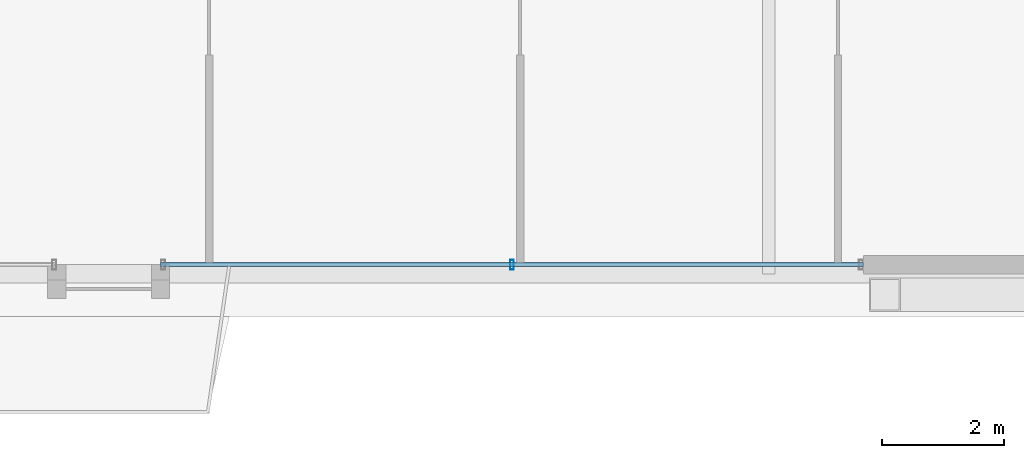
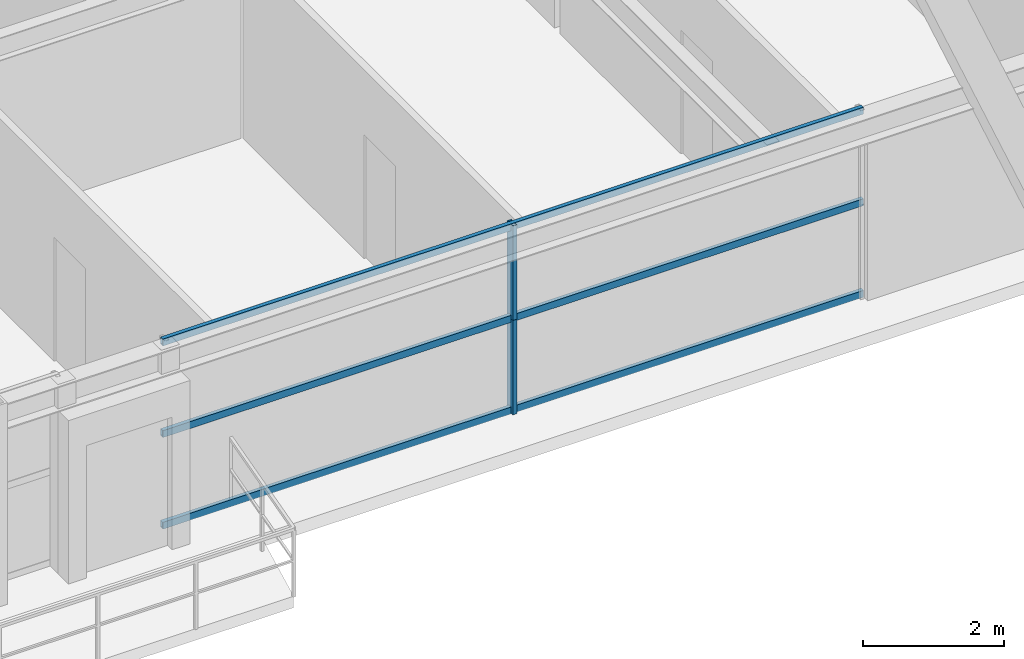
# One storey, part 12 of 45: 5 members, 1 element without a shape of its own.
"""IFC4 building model written with IfcOpenShell, lengths in metres."""

import ifcopenshell
import ifcopenshell.guid

model = None  # the IFC model being written
_history = None  # IfcOwnerHistory: only IFC2X3 demands one
_inside = {}  # id of a spatial element -> (the spatial element, [elements in it])
_under = {}  # id of a project, library or spatial element -> (it, [spatial elements below it])
_declared = {}  # id of a project -> (the project, [libraries it declares])
_typed = {}  # id of a type object -> (the type object, [elements of that type])
_made_of = {}  # id of a material, layer set ... -> (it, [elements and type objects made of it])


def new_model(schema):
    """Start an empty IFC model of exactly this schema.

    Asked for "IFC4X3", IfcOpenShell would pick the latest addendum, in which some entities
    have other attributes; the version numbers below select the first issue.
    IFC2X3 requires an IfcOwnerHistory on every rooted entity: one is made here for all.
    """
    global model, _history
    if schema == "IFC4X3":
        model = ifcopenshell.file(schema_version=(4, 3, 0, 0))
    else:
        model = ifcopenshell.file(schema=schema)
    _inside.clear()
    _under.clear()
    _declared.clear()
    _typed.clear()
    _made_of.clear()
    _history = None
    if model.schema == "IFC2X3":
        org = make("IfcOrganization", Name="unknown")
        user = make(
            "IfcPersonAndOrganization",
            ThePerson=make("IfcPerson", FamilyName="unknown"),
            TheOrganization=org,
        )
        app = make(
            "IfcApplication",
            ApplicationDeveloper=org,
            Version="unknown",
            ApplicationFullName="unknown",
            ApplicationIdentifier="unknown",
        )
        _history = make(
            "IfcOwnerHistory",
            OwningUser=user,
            OwningApplication=app,
            ChangeAction="ADDED",
            CreationDate=0,
        )
    return model


def make(cls, **values):
    """One entity of the class cls with the attributes given. An attribute that is None is left unset."""
    return model.create_entity(
        cls, **{name: value for name, value in values.items() if value is not None}
    )


def rooted(cls, **values):
    """An entity with a GlobalId (a new one), such as an element, a storey or a relation."""
    return make(cls, GlobalId=ifcopenshell.guid.new(), OwnerHistory=_history, **values)


def si_unit(unit_type, name, prefix=None):
    """IfcSIUnit, for example si_unit("LENGTHUNIT", "METRE", prefix="MILLI")."""
    return make("IfcSIUnit", UnitType=unit_type, Prefix=prefix, Name=name)


def assignment(units):
    """IfcUnitAssignment: the units of a project."""
    return None if units is None else make("IfcUnitAssignment", Units=units)


def point(xyz):
    """IfcCartesianPoint."""
    return None if xyz is None else make("IfcCartesianPoint", Coordinates=xyz)


def direction(xyz):
    """IfcDirection."""
    return None if xyz is None else make("IfcDirection", DirectionRatios=xyz)


def frame(location, z_axis=None, x_axis=None):
    """IfcAxis2Placement3D, a coordinate frame: its origin and axes. An axis left out is left unset."""
    return make(
        "IfcAxis2Placement3D",
        Location=point(location),
        Axis=direction(z_axis),
        RefDirection=direction(x_axis),
    )


def frame_2d(location, x_axis=None):
    """IfcAxis2Placement2D, a coordinate frame in the plane: its origin and x axis."""
    return make(
        "IfcAxis2Placement2D", Location=point(location), RefDirection=direction(x_axis)
    )


def origin():
    """The frame at (0, 0, 0) with its axes left unset."""
    return frame((0.0, 0.0, 0.0))


def origin_2d():
    """The frame at (0, 0) in the plane with its x axis left unset."""
    return frame_2d((0.0, 0.0))


def place(relative_to, where):
    """IfcLocalPlacement: puts the frame where relative to a parent placement (None: the world)."""
    return make(
        "IfcLocalPlacement", PlacementRelTo=relative_to, RelativePlacement=where
    )


def context(
    kind, dimensions, precision=None, world=None, true_north=None, identifier=None
):
    """IfcGeometricRepresentationContext, for example the 3D "Model" context."""
    return make(
        "IfcGeometricRepresentationContext",
        ContextIdentifier=identifier,
        ContextType=kind,
        CoordinateSpaceDimension=dimensions,
        Precision=precision,
        WorldCoordinateSystem=world,
        TrueNorth=true_north,
    )


def subcontext(parent, identifier, kind, view, scale=None):
    """IfcGeometricRepresentationSubContext, for example "Body" below "Model"."""
    return make(
        "IfcGeometricRepresentationSubContext",
        ContextIdentifier=identifier,
        ContextType=kind,
        ParentContext=parent,
        TargetScale=scale,
        TargetView=view,
    )


def project(units=None, contexts=None):
    """IfcProject with its units and contexts."""
    return rooted(
        "IfcProject",
        Name="project",
        RepresentationContexts=contexts,
        UnitsInContext=assignment(units),
    )


def spatial(cls, under=None, at=None, **own):
    """A site, building, storey or space (cls), placed at a placement, below another one or the project."""
    s = rooted(cls, ObjectPlacement=at, **own)
    if under is not None:
        _under.setdefault(under.id(), (under, []))[1].append(s)
    return s


def profile(cls, at=None, kind="AREA", **sizes):
    """A parametric profile (cls). Its sizes go by their IFC names, for example OverallWidth=200.0."""
    return make(cls, ProfileType=kind, Position=at, **sizes)


def hollow_rectangle(**sizes):
    """IfcRectangleHollowProfileDef."""
    return profile("IfcRectangleHollowProfileDef", **sizes)


def extrude(swept, where, along, depth):
    """IfcExtrudedAreaSolid: the profile swept, set in the frame where, extruded along a direction by depth."""
    return make(
        "IfcExtrudedAreaSolid",
        SweptArea=swept,
        Position=where,
        ExtrudedDirection=direction(along),
        Depth=depth,
    )


def shape(context_of_items, identifier, shape_type, items):
    """IfcShapeRepresentation: the items that make up one representation, for example the "Body"."""
    return make(
        "IfcShapeRepresentation",
        ContextOfItems=context_of_items,
        RepresentationIdentifier=identifier,
        RepresentationType=shape_type,
        Items=items,
    )


def source(mapping_origin, context_of_items, identifier, shape_type, items):
    """IfcRepresentationMap: a shape defined once, which mapped items show again and again."""
    return make(
        "IfcRepresentationMap",
        MappingOrigin=mapping_origin,
        MappedRepresentation=shape(context_of_items, identifier, shape_type, items),
    )


def transform(
    local_origin,
    x_axis=None,
    y_axis=None,
    z_axis=None,
    scale=None,
    scale2=None,
    scale3=None,
    uniform=True,
):
    """IfcCartesianTransformationOperator3D, or its non-uniform kind. x_axis, y_axis, z_axis: its Axis1, 2, 3."""
    if uniform:
        return make(
            "IfcCartesianTransformationOperator3D",
            Axis1=direction(x_axis),
            Axis2=direction(y_axis),
            LocalOrigin=point(local_origin),
            Scale=scale,
            Axis3=direction(z_axis),
        )
    return make(
        "IfcCartesianTransformationOperator3DnonUniform",
        Axis1=direction(x_axis),
        Axis2=direction(y_axis),
        LocalOrigin=point(local_origin),
        Scale=scale,
        Axis3=direction(z_axis),
        Scale2=scale2,
        Scale3=scale3,
    )


def mapped(mapping_source, mapping_target):
    """IfcMappedItem: shows the shape of a source again, moved by a transform."""
    return make(
        "IfcMappedItem", MappingSource=mapping_source, MappingTarget=mapping_target
    )


def material(Name=None, Category=None):
    """IfcMaterial."""
    return make("IfcMaterial", Name=Name, Category=Category)


def layer(
    of_material, thickness, ventilated=None, Name=None, Category=None, Priority=None
):
    """IfcMaterialLayer: one layer of a wall or slab, of a material (None: an air gap)."""
    return make(
        "IfcMaterialLayer",
        Material=of_material,
        LayerThickness=thickness,
        IsVentilated=ventilated,
        Name=Name,
        Category=Category,
        Priority=Priority,
    )


def layer_set(layers, Name=None):
    """IfcMaterialLayerSet."""
    return make("IfcMaterialLayerSet", MaterialLayers=layers, LayerSetName=Name)


def material_profile(
    of_material, cross_section, Name=None, Category=None, Priority=None
):
    """IfcMaterialProfile: a cross section and its material."""
    return make(
        "IfcMaterialProfile",
        Name=Name,
        Material=of_material,
        Profile=cross_section,
        Priority=Priority,
        Category=Category,
    )


def profile_set(profiles, Name=None, composite=None):
    """IfcMaterialProfileSet."""
    return make(
        "IfcMaterialProfileSet",
        Name=Name,
        MaterialProfiles=profiles,
        CompositeProfile=composite,
    )


def made_of(thing, what):
    """Note that an element or type object is made of a material, layer set ...; save() writes the relation."""
    if what is not None:
        _made_of.setdefault(what.id(), (what, []))[1].append(thing)
    return thing


def type_object(cls, material=None, **own):
    """A type object (cls), such as IfcWallType, which elements share."""
    return made_of(rooted(cls, **own), material)


def element(
    cls,
    number,
    at=None,
    inside=None,
    cuts=None,
    type_object=None,
    material=None,
    context=None,
    identifier="Body",
    shape_type=None,
    held_by="IfcProductDefinitionShape",
    body=None,
    shapes=None,
    **own,
):
    """One element of the class cls, such as IfcWall. Its Tag is "e" and its number.

    at: its placement. inside: the storey or other place that contains it. cuts: it is an
    opening in that element (IfcRelVoidsElement). A single representation is given by context,
    identifier, shape_type and body (its items); several are given by shapes. held_by: the class
    of the entity that holds the representations. save() writes the other relations.
    """
    e = rooted(cls, Tag="e%d" % number, ObjectPlacement=at, **own)
    if body is not None:
        shapes = [shape(context, identifier, shape_type, body)]
    if shapes is not None:
        e.Representation = make(held_by, Representations=shapes)
    if inside is not None:
        _inside.setdefault(inside.id(), (inside, []))[1].append(e)
    if cuts is not None:
        rooted(
            "IfcRelVoidsElement", RelatingBuildingElement=cuts, RelatedOpeningElement=e
        )
    if type_object is not None:
        _typed.setdefault(type_object.id(), (type_object, []))[1].append(e)
    return made_of(e, material)


def aggregate(whole, parts):
    """IfcRelAggregates: a whole, such as a stair, and the parts it consists of."""
    return rooted("IfcRelAggregates", RelatingObject=whole, RelatedObjects=parts)


def save(model, path):
    """Write the relations noted so far, then the file.

    IfcRelAggregates (storeys below a building ...), IfcRelContainedInSpatialStructure (elements
    in a storey), IfcRelDefinesByType, IfcRelAssociatesMaterial and IfcRelDeclares: one each for
    every whole, place, type object, material and project.
    """
    for whole, parts in _under.values():
        aggregate(whole, parts)
    for where, things in _inside.values():
        rooted(
            "IfcRelContainedInSpatialStructure",
            RelatedElements=things,
            RelatingStructure=where,
        )
    for kind, things in _typed.values():
        rooted("IfcRelDefinesByType", RelatedObjects=things, RelatingType=kind)
    for what, things in _made_of.values():
        rooted("IfcRelAssociatesMaterial", RelatedObjects=things, RelatingMaterial=what)
    for by, libraries in _declared.values():
        rooted("IfcRelDeclares", RelatingContext=by, RelatedDefinitions=libraries)
    model.write(path)


model = new_model("IFC4")

# Units and contexts
model_context = context("Model", 3, precision=1e-05, world=origin(), true_north=direction((0.0, 1.0)))
body_context = subcontext(model_context, "Body", "Model", "MODEL_VIEW")
ifc_project = project(units=[si_unit("LENGTHUNIT", "METRE"), si_unit("AREAUNIT", "SQUARE_METRE"), si_unit("VOLUMEUNIT", "CUBIC_METRE"), si_unit("PLANEANGLEUNIT", "RADIAN"), si_unit("MASSUNIT", "GRAM", prefix="KILO"), si_unit("THERMODYNAMICTEMPERATUREUNIT", "KELVIN"), si_unit("POWERUNIT", "WATT")], contexts=[model_context])

# Site, building, storey
site_placement = place(None, origin())
site = spatial("IfcSite", under=ifc_project, at=site_placement, CompositionType="ELEMENT")
building_placement = place(site_placement, origin())
building = spatial("IfcBuilding", under=site, at=building_placement, Name="Yuzanri Waterfront Tower", CompositionType="ELEMENT")
storey_placement = place(building_placement, frame((0.0, 0.0, 191.5)))
storey = spatial("IfcBuildingStorey", under=building, at=storey_placement, Name="L50", CompositionType="ELEMENT", Elevation=191.5)

# Curtain wall, members
ifc_material_1 = material(Name="Anodized Architectural Bronze", Category="metal")
ifc_layer = layer(ifc_material_1, 0.159912109375)
ifc_layer_set = layer_set([ifc_layer], Name="Anodized Architectural Bronze")
curtain_wall_type = type_object("IfcCurtainWallType", Name="Anodized Bronze Mid-Rise Residential Acoustic Unitized Curtain Wall 7200", PredefinedType="NOTDEFINED", material=ifc_layer_set)
curtain_wall_placement = place(storey_placement, origin())
curtain_wall = element("IfcCurtainWall", 1, at=curtain_wall_placement, inside=storey, type_object=curtain_wall_type, Name="L50 Curtain Wall CW-L50-SR2", PredefinedType="NOTDEFINED")
ifc_material_2 = material(Name="Anodized Architectural Bronze", Category="metal")
ifc_material_profile_1 = material_profile(ifc_material_2, hollow_rectangle(XDim=0.06494140625, YDim=0.159912109375, WallThickness=0.00341796875, at=origin_2d()), Name="CWM 65x160")
ifc_profile_set_1 = profile_set([ifc_material_profile_1], Name="Anodized Architectural Bronze")
member_type_1 = type_object("IfcMemberType", Name="Anodized Bronze Upper-Zone Curtain-Wall Mullion 65x160", PredefinedType="MULLION", material=ifc_profile_set_1)
shared_shape_1 = source(origin(), body_context, "Body", "SweptSolid", [
    extrude(hollow_rectangle(XDim=0.06494140625, YDim=0.159912109375, WallThickness=0.00341796875, at=origin_2d()), origin(), (0.0, 0.0, 1.0), 1.637939453125),
])
member_1_placement = place(storey_placement, frame((46.0, 3.85009765625, 0.0), z_axis=(0.0, 0.0, 1.0), x_axis=(1.0, 0.0, 0.0)))
member_1 = element("IfcMember", 2, at=member_1_placement, type_object=member_type_1, Name="CW-L50-SR2 Lower Mullion 01", PredefinedType="MULLION", context=body_context, shape_type="MappedRepresentation", body=[
    mapped(shared_shape_1, transform((0.0, 0.0, 0.0), scale=1.0)),
])
member_2_placement = place(storey_placement, frame((46.0, 3.85009765625, 1.64208984375), z_axis=(0.0, 0.0, 1.0), x_axis=(1.0, 0.0, 0.0)))
member_2 = element("IfcMember", 3, at=member_2_placement, type_object=member_type_1, Name="CW-L50-SR2 Upper Mullion 01", PredefinedType="MULLION", context=body_context, shape_type="MappedRepresentation", body=[
    mapped(shared_shape_1, transform((0.0, 0.0, 0.0), scale=1.0)),
])
ifc_material_3 = material(Name="Anodized Architectural Bronze", Category="metal")
ifc_material_profile_2 = material_profile(ifc_material_3, hollow_rectangle(XDim=0.06494140625, YDim=0.1201171875, WallThickness=0.00341796875, at=origin_2d()), Name="CWT 65x120")
ifc_profile_set_2 = profile_set([ifc_material_profile_2], Name="Anodized Architectural Bronze")
member_type_2 = type_object("IfcMemberType", Name="Anodized Bronze Secondary Curtain-Wall Transom 65x120", PredefinedType="USERDEFINED", material=ifc_profile_set_2)
shared_shape_2 = source(origin(), body_context, "Body", "SweptSolid", [
    extrude(hollow_rectangle(XDim=0.06494140625, YDim=0.1201171875, WallThickness=0.00341796875, at=origin_2d()), origin(), (0.0, 0.0, 1.0), 11.5),
])
member_3_placement = place(storey_placement, frame((40.25, 3.85009765625, 0.050048828125), z_axis=(1.0, 0.0, 0.0), x_axis=(0.0, 1.0, 0.0)))
member_3 = element("IfcMember", 4, at=member_3_placement, type_object=member_type_2, Name="CW-L50-SR2 Transom 1", ObjectType="TRANSOM", PredefinedType="USERDEFINED", context=body_context, shape_type="MappedRepresentation", body=[
    mapped(shared_shape_2, transform((0.0, 0.0, 0.0), scale=1.0)),
])
member_4_placement = place(storey_placement, frame((40.25, 3.85009765625, 1.639892578125), z_axis=(1.0, 0.0, 0.0), x_axis=(0.0, 1.0, 0.0)))
member_4 = element("IfcMember", 5, at=member_4_placement, type_object=member_type_2, Name="CW-L50-SR2 Transom 2", ObjectType="TRANSOM", PredefinedType="USERDEFINED", context=body_context, shape_type="MappedRepresentation", body=[
    mapped(shared_shape_2, transform((0.0, 0.0, 0.0), scale=1.0)),
])
member_5_placement = place(storey_placement, frame((40.25, 3.85009765625, 3.22998046875), z_axis=(1.0, 0.0, 0.0), x_axis=(0.0, 1.0, 0.0)))
member_5 = element("IfcMember", 6, at=member_5_placement, type_object=member_type_2, Name="CW-L50-SR2 Transom 3", ObjectType="TRANSOM", PredefinedType="USERDEFINED", context=body_context, shape_type="MappedRepresentation", body=[
    mapped(shared_shape_2, transform((0.0, 0.0, 0.0), scale=1.0)),
])
aggregate(curtain_wall, [member_1, member_2, member_3, member_4, member_5])

save(model, "model.ifc")
